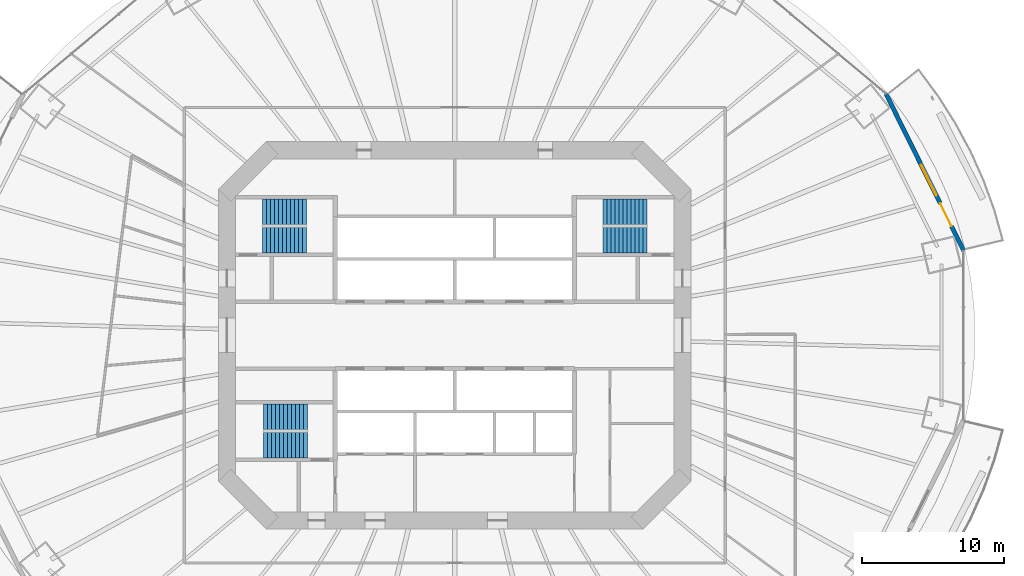
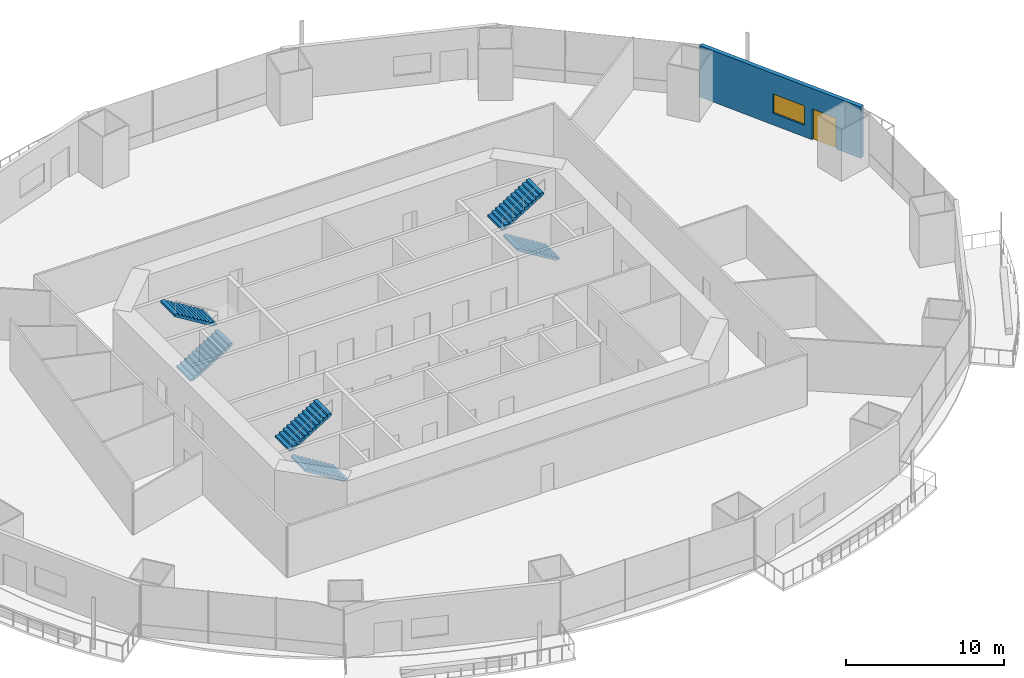
# One storey, part 17 of 23: 6 stair flights, 1 door, 1 wall, 1 window, 2 openings, 3 elements without a shape of their own.
"""IFC4 building model written with IfcOpenShell, lengths in metres."""

from ifc_helpers import new_model, si_unit, direction, frame, frame_2d, origin, place, context, subcontext, project, spatial, polyline, rectangle, outline, extrude, material, layer, layer_set, type_object, element, fill, aggregate, save


model = new_model("IFC4")

# Units and contexts
model_context = context("Model", 3, precision=1e-05, world=origin(), true_north=direction((0.0, 1.0)))
body_context = subcontext(model_context, "Body", "Model", "MODEL_VIEW")
ifc_project = project(units=[si_unit("LENGTHUNIT", "METRE"), si_unit("AREAUNIT", "SQUARE_METRE"), si_unit("VOLUMEUNIT", "CUBIC_METRE"), si_unit("PLANEANGLEUNIT", "RADIAN"), si_unit("MASSUNIT", "GRAM", prefix="KILO")], contexts=[model_context])

# Site, building, storey
site_placement = place(None, origin())
site = spatial("IfcSite", under=ifc_project, at=site_placement, CompositionType="ELEMENT")
building_placement = place(site_placement, origin())
building = spatial("IfcBuilding", under=site, at=building_placement, Name="Marenthal Gate Tower", CompositionType="ELEMENT")
storey_placement = place(building_placement, frame((0.0, 0.0, 49.60009765625)))
storey = spatial("IfcBuildingStorey", under=building, at=storey_placement, Name="L08", CompositionType="ELEMENT", Elevation=49.60009765625)

# Wall, openings, door, window
ifc_material_1 = material(Name="Terracotta cladding on insulated concrete-block backing", Category="masonry")
ifc_layer = layer(ifc_material_1, 0.300048828125)
ifc_layer_set = layer_set([ifc_layer], Name="Terracotta facade wall 300")
wall_type = type_object("IfcWallType", Name="Terracotta facade wall 300", PredefinedType="SOLIDWALL", material=ifc_layer_set)
wall_placement = place(storey_placement, frame((35.73779296875, 5.953125, 0.0), z_axis=(0.0, 0.0, 1.0), x_axis=(-0.443341984676, 0.89635254483, 0.0)))
wall = element("IfcWall", 1, at=wall_placement, inside=storey, type_object=wall_type, Name="Terracotta facade wall L08 bay 1", PredefinedType="SOLIDWALL", context=body_context, shape_type="SweptSolid", body=[
    extrude(rectangle(XDim=12.27197265625, YDim=0.300048828125, at=frame_2d((6.135986328125, 0.0))), origin(), (0.0, 0.0, 1.0), 3.969970703125),
])
opening_1_placement = place(wall_placement, frame((1.89990234375, 0.0, 0.0)))
opening_1 = element("IfcOpeningElement", 2, at=opening_1_placement, cuts=wall, Name="Opening BD-L08-01", PredefinedType="OPENING", context=body_context, shape_type="SweptSolid", body=[
    extrude(rectangle(XDim=1.800048828125, YDim=2.39990234375, at=frame_2d((0.89990234375, 1.199951171875))), frame((0.0, 0.16015625, 0.0), z_axis=(0.0, -1.0, 0.0), x_axis=(1.0, 0.0, 0.0)), (0.0, 0.0, 1.0), 0.320068359375),
])
opening_2_placement = place(wall_placement, frame((4.300048828125, 0.0, 0.89990234375)))
opening_2 = element("IfcOpeningElement", 3, at=opening_2_placement, cuts=wall, Name="Opening WN1-L08-01", PredefinedType="OPENING", context=body_context, shape_type="SweptSolid", body=[
    extrude(rectangle(XDim=2.39990234375, YDim=1.5, at=frame_2d((1.199951171875, 0.75))), frame((0.0, 0.16015625, 0.0), z_axis=(0.0, -1.0, 0.0), x_axis=(1.0, 0.0, 0.0)), (0.0, 0.0, 1.0), 0.320068359375),
])
ifc_material_2 = material(Name="Aluminium and glass", Category="aluminium")
door_type = type_object("IfcDoorType", Name="Balcony door 1800x2400", OperationType="DOUBLE_DOOR_SINGLE_SWING", PredefinedType="DOOR", material=ifc_material_2)
door_placement = place(opening_1_placement, origin())
door = element("IfcDoor", 4, at=door_placement, inside=storey, type_object=door_type, Name="Balcony door L08 bay 1", OperationType="SINGLE_SWING_LEFT", OverallHeight=2.39990234375, OverallWidth=1.800048828125, PredefinedType="DOOR", context=body_context, shape_type="SweptSolid", body=[
    extrude(rectangle(XDim=1.800048828125, YDim=2.39990234375, at=frame_2d((0.89990234375, 1.199951171875))), frame((0.0, 0.02490234375, 0.0), z_axis=(0.0, -1.0, 0.0), x_axis=(1.0, 0.0, 0.0)), (0.0, 0.0, 1.0), 0.050048828125),
])
fill(opening_1, door)
ifc_material_3 = material(Name="Aluminium and glass", Category="aluminium")
window_type = type_object("IfcWindowType", Name="Window 2400x1500", PartitioningType="TRIPLE_PANEL_VERTICAL", PredefinedType="WINDOW", material=ifc_material_3)
window_placement = place(opening_2_placement, origin())
window = element("IfcWindow", 5, at=window_placement, inside=storey, type_object=window_type, Name="Window L08 bay 1", OverallHeight=1.5, OverallWidth=2.39990234375, PartitioningType="SINGLE_PANEL", PredefinedType="WINDOW", context=body_context, shape_type="SweptSolid", body=[
    extrude(rectangle(XDim=2.39990234375, YDim=1.5, at=frame_2d((1.199951171875, 0.75))), frame((0.0, 0.030029296875, 0.0), z_axis=(0.0, -1.0, 0.0), x_axis=(1.0, 0.0, 0.0)), (0.0, 0.0, 1.0), 0.06005859375),
])
fill(opening_2, window)

# Stair, stair flights
ifc_material_4 = material(Name="Concrete 40 MPa", Category="concrete")
stair_type = type_object("IfcStairType", Name="Exit stair 1800", PredefinedType="HALF_TURN_STAIR", material=ifc_material_4)
stair_1_placement = place(storey_placement, origin())
stair_1 = element("IfcStair", 6, at=stair_1_placement, inside=storey, type_object=stair_type, Name="Stair ST1", PredefinedType="HALF_TURN_STAIR")
ifc_material_5 = material(Name="Concrete 40 MPa", Category="concrete")
stair_flight_type = type_object("IfcStairFlightType", Name="Stair flight 1800", PredefinedType="STRAIGHT", material=ifc_material_5)
stair_flight_1_placement = place(storey_placement, frame((-13.5, 6.675048828125, 0.0), z_axis=(0.0, 0.0, 1.0), x_axis=(1.0, 0.0, 0.0)))
stair_flight_1 = element("IfcStairFlight", 7, at=stair_flight_1_placement, type_object=stair_flight_type, Name="ST1 flight 1", NumberOfRisers=12, NumberOfTreads=11, PredefinedType="STRAIGHT", RiserHeight=0.172916667, TreadLength=0.28, context=body_context, shape_type="SweptSolid", body=[
    extrude(outline(polyline([(0.0, 0.0), (0.0, 0.1728515625), (0.280029296875, 0.1728515625), (0.280029296875, 0.345947265625), (0.56005859375, 0.345947265625), (0.56005859375, 0.518798828125), (0.840087890625, 0.518798828125), (0.840087890625, 0.691650390625), (1.1201171875, 0.691650390625), (1.1201171875, 0.864501953125), (1.39990234375, 0.864501953125), (1.39990234375, 1.03759765625), (1.679931640625, 1.03759765625), (1.679931640625, 1.21044921875), (1.9599609375, 1.21044921875), (1.9599609375, 1.38330078125), (2.239990234375, 1.38330078125), (2.239990234375, 1.55615234375), (2.52001953125, 1.55615234375), (2.52001953125, 1.729248046875), (2.800048828125, 1.729248046875), (2.800048828125, 1.902099609375), (3.080078125, 1.902099609375), (3.080078125, 2.074951171875), (3.080078125, 1.725830078125), (0.285400390625, 0.0), (0.0, 0.0)])), frame((0.0, 0.89990234375, 0.0), z_axis=(0.0, -1.0, 0.0), x_axis=(1.0, 0.0, 0.0)), (0.0, 0.0, 1.0), 1.800048828125),
])
stair_flight_2_placement = place(storey_placement, frame((-10.419921875, 8.675048828125, 2.074951171875), z_axis=(0.0, 0.0, 1.0), x_axis=(-1.0, 0.0, 0.0)))
stair_flight_2 = element("IfcStairFlight", 8, at=stair_flight_2_placement, type_object=stair_flight_type, Name="ST1 flight 2", NumberOfRisers=12, NumberOfTreads=11, PredefinedType="STRAIGHT", RiserHeight=0.172916667, TreadLength=0.28, context=body_context, shape_type="SweptSolid", body=[
    extrude(outline(polyline([(0.0, 0.0), (0.0, 0.1728515625), (0.280029296875, 0.1728515625), (0.280029296875, 0.345947265625), (0.56005859375, 0.345947265625), (0.56005859375, 0.518798828125), (0.840087890625, 0.518798828125), (0.840087890625, 0.691650390625), (1.1201171875, 0.691650390625), (1.1201171875, 0.864501953125), (1.39990234375, 0.864501953125), (1.39990234375, 1.03759765625), (1.679931640625, 1.03759765625), (1.679931640625, 1.21044921875), (1.9599609375, 1.21044921875), (1.9599609375, 1.38330078125), (2.239990234375, 1.38330078125), (2.239990234375, 1.55615234375), (2.52001953125, 1.55615234375), (2.52001953125, 1.729248046875), (2.800048828125, 1.729248046875), (2.800048828125, 1.902099609375), (3.080078125, 1.902099609375), (3.080078125, 2.074951171875), (3.080078125, 1.725830078125), (0.285400390625, 0.0), (0.0, 0.0)])), frame((0.0, 0.89990234375, 0.0), z_axis=(0.0, -1.0, 0.0), x_axis=(1.0, 0.0, 0.0)), (0.0, 0.0, 1.0), 1.800048828125),
])
aggregate(stair_1, [stair_flight_1, stair_flight_2])

stair_2_placement = place(storey_placement, origin())
stair_2 = element("IfcStair", 9, at=stair_2_placement, inside=storey, type_object=stair_type, Name="Stair ST2", PredefinedType="HALF_TURN_STAIR")
stair_flight_3_placement = place(storey_placement, frame((-10.35009765625, -7.72509765625, 0.0), z_axis=(0.0, 0.0, 1.0), x_axis=(-1.0, 0.0, 0.0)))
stair_flight_3 = element("IfcStairFlight", 10, at=stair_flight_3_placement, type_object=stair_flight_type, Name="ST2 flight 1", NumberOfRisers=12, NumberOfTreads=11, PredefinedType="STRAIGHT", RiserHeight=0.172916667, TreadLength=0.28, context=body_context, shape_type="SweptSolid", body=[
    extrude(outline(polyline([(0.0, 0.0), (0.0, 0.1728515625), (0.280029296875, 0.1728515625), (0.280029296875, 0.345947265625), (0.56005859375, 0.345947265625), (0.56005859375, 0.518798828125), (0.840087890625, 0.518798828125), (0.840087890625, 0.691650390625), (1.1201171875, 0.691650390625), (1.1201171875, 0.864501953125), (1.39990234375, 0.864501953125), (1.39990234375, 1.03759765625), (1.679931640625, 1.03759765625), (1.679931640625, 1.21044921875), (1.9599609375, 1.21044921875), (1.9599609375, 1.38330078125), (2.239990234375, 1.38330078125), (2.239990234375, 1.55615234375), (2.52001953125, 1.55615234375), (2.52001953125, 1.729248046875), (2.800048828125, 1.729248046875), (2.800048828125, 1.902099609375), (3.080078125, 1.902099609375), (3.080078125, 2.074951171875), (3.080078125, 1.725830078125), (0.285400390625, 0.0), (0.0, 0.0)])), frame((0.0, 0.89990234375, 0.0), z_axis=(0.0, -1.0, 0.0), x_axis=(1.0, 0.0, 0.0)), (0.0, 0.0, 1.0), 1.800048828125),
])
stair_flight_4_placement = place(storey_placement, frame((-13.429931640625, -5.72509765625, 2.074951171875), z_axis=(0.0, 0.0, 1.0), x_axis=(1.0, 0.0, 0.0)))
stair_flight_4 = element("IfcStairFlight", 11, at=stair_flight_4_placement, type_object=stair_flight_type, Name="ST2 flight 2", NumberOfRisers=12, NumberOfTreads=11, PredefinedType="STRAIGHT", RiserHeight=0.172916667, TreadLength=0.28, context=body_context, shape_type="SweptSolid", body=[
    extrude(outline(polyline([(0.0, 0.0), (0.0, 0.1728515625), (0.280029296875, 0.1728515625), (0.280029296875, 0.345947265625), (0.56005859375, 0.345947265625), (0.56005859375, 0.518798828125), (0.840087890625, 0.518798828125), (0.840087890625, 0.691650390625), (1.1201171875, 0.691650390625), (1.1201171875, 0.864501953125), (1.39990234375, 0.864501953125), (1.39990234375, 1.03759765625), (1.679931640625, 1.03759765625), (1.679931640625, 1.21044921875), (1.9599609375, 1.21044921875), (1.9599609375, 1.38330078125), (2.239990234375, 1.38330078125), (2.239990234375, 1.55615234375), (2.52001953125, 1.55615234375), (2.52001953125, 1.729248046875), (2.800048828125, 1.729248046875), (2.800048828125, 1.902099609375), (3.080078125, 1.902099609375), (3.080078125, 2.074951171875), (3.080078125, 1.725830078125), (0.285400390625, 0.0), (0.0, 0.0)])), frame((0.0, 0.89990234375, 0.0), z_axis=(0.0, -1.0, 0.0), x_axis=(1.0, 0.0, 0.0)), (0.0, 0.0, 1.0), 1.800048828125),
])
aggregate(stair_2, [stair_flight_3, stair_flight_4])

stair_3_placement = place(storey_placement, origin())
stair_3 = element("IfcStair", 12, at=stair_3_placement, inside=storey, type_object=stair_type, Name="Stair ST3", PredefinedType="HALF_TURN_STAIR")
stair_flight_5_placement = place(storey_placement, frame((13.5, 6.675048828125, 0.0), z_axis=(0.0, 0.0, 1.0), x_axis=(-1.0, 0.0, 0.0)))
stair_flight_5 = element("IfcStairFlight", 13, at=stair_flight_5_placement, type_object=stair_flight_type, Name="ST3 flight 1", NumberOfRisers=12, NumberOfTreads=11, PredefinedType="STRAIGHT", RiserHeight=0.172916667, TreadLength=0.28, context=body_context, shape_type="SweptSolid", body=[
    extrude(outline(polyline([(0.0, 0.0), (0.0, 0.1728515625), (0.280029296875, 0.1728515625), (0.280029296875, 0.345947265625), (0.56005859375, 0.345947265625), (0.56005859375, 0.518798828125), (0.840087890625, 0.518798828125), (0.840087890625, 0.691650390625), (1.1201171875, 0.691650390625), (1.1201171875, 0.864501953125), (1.39990234375, 0.864501953125), (1.39990234375, 1.03759765625), (1.679931640625, 1.03759765625), (1.679931640625, 1.21044921875), (1.9599609375, 1.21044921875), (1.9599609375, 1.38330078125), (2.239990234375, 1.38330078125), (2.239990234375, 1.55615234375), (2.52001953125, 1.55615234375), (2.52001953125, 1.729248046875), (2.800048828125, 1.729248046875), (2.800048828125, 1.902099609375), (3.080078125, 1.902099609375), (3.080078125, 2.074951171875), (3.080078125, 1.725830078125), (0.285400390625, 0.0), (0.0, 0.0)])), frame((0.0, 0.89990234375, 0.0), z_axis=(0.0, -1.0, 0.0), x_axis=(1.0, 0.0, 0.0)), (0.0, 0.0, 1.0), 1.800048828125),
])
stair_flight_6_placement = place(storey_placement, frame((10.419921875, 8.675048828125, 2.074951171875), z_axis=(0.0, 0.0, 1.0), x_axis=(1.0, 0.0, 0.0)))
stair_flight_6 = element("IfcStairFlight", 14, at=stair_flight_6_placement, type_object=stair_flight_type, Name="ST3 flight 2", NumberOfRisers=12, NumberOfTreads=11, PredefinedType="STRAIGHT", RiserHeight=0.172916667, TreadLength=0.28, context=body_context, shape_type="SweptSolid", body=[
    extrude(outline(polyline([(0.0, 0.0), (0.0, 0.1728515625), (0.280029296875, 0.1728515625), (0.280029296875, 0.345947265625), (0.56005859375, 0.345947265625), (0.56005859375, 0.518798828125), (0.840087890625, 0.518798828125), (0.840087890625, 0.691650390625), (1.1201171875, 0.691650390625), (1.1201171875, 0.864501953125), (1.39990234375, 0.864501953125), (1.39990234375, 1.03759765625), (1.679931640625, 1.03759765625), (1.679931640625, 1.21044921875), (1.9599609375, 1.21044921875), (1.9599609375, 1.38330078125), (2.239990234375, 1.38330078125), (2.239990234375, 1.55615234375), (2.52001953125, 1.55615234375), (2.52001953125, 1.729248046875), (2.800048828125, 1.729248046875), (2.800048828125, 1.902099609375), (3.080078125, 1.902099609375), (3.080078125, 2.074951171875), (3.080078125, 1.725830078125), (0.285400390625, 0.0), (0.0, 0.0)])), frame((0.0, 0.89990234375, 0.0), z_axis=(0.0, -1.0, 0.0), x_axis=(1.0, 0.0, 0.0)), (0.0, 0.0, 1.0), 1.800048828125),
])
aggregate(stair_3, [stair_flight_5, stair_flight_6])

save(model, "model.ifc")
